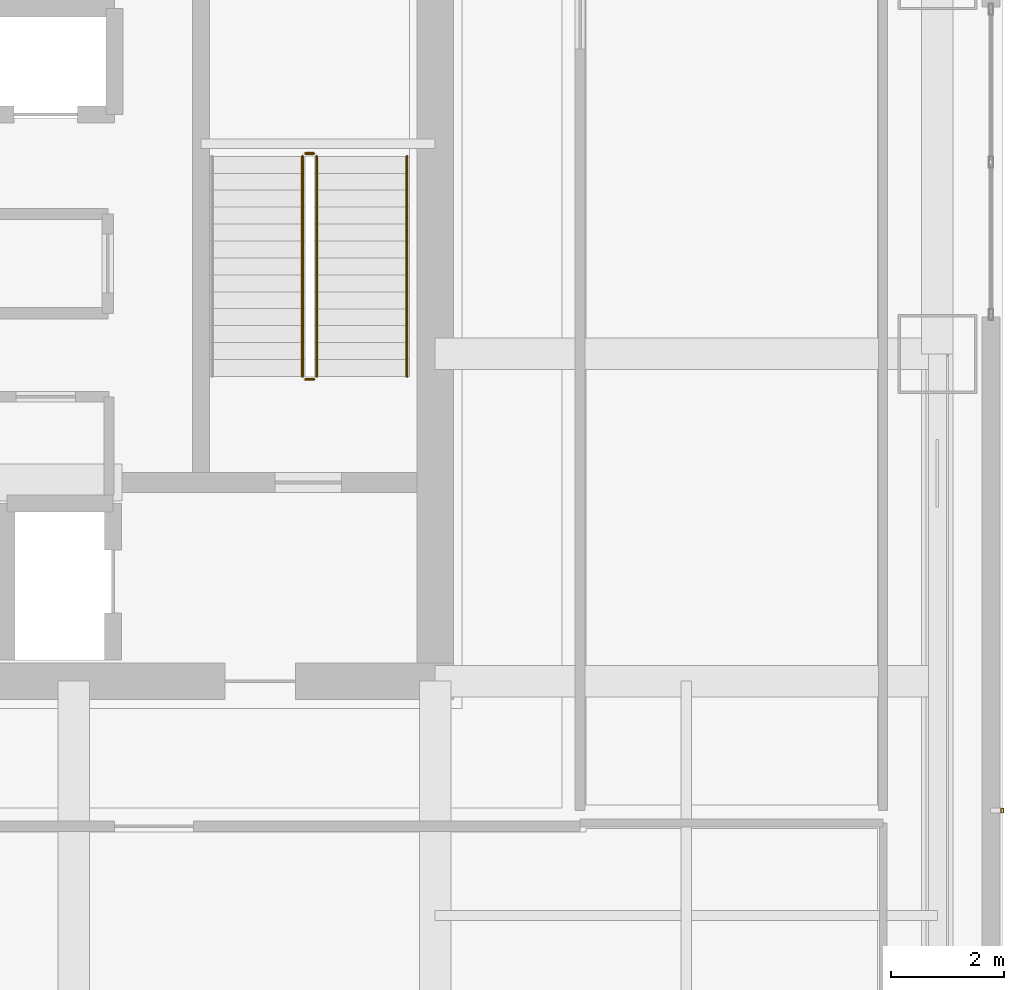
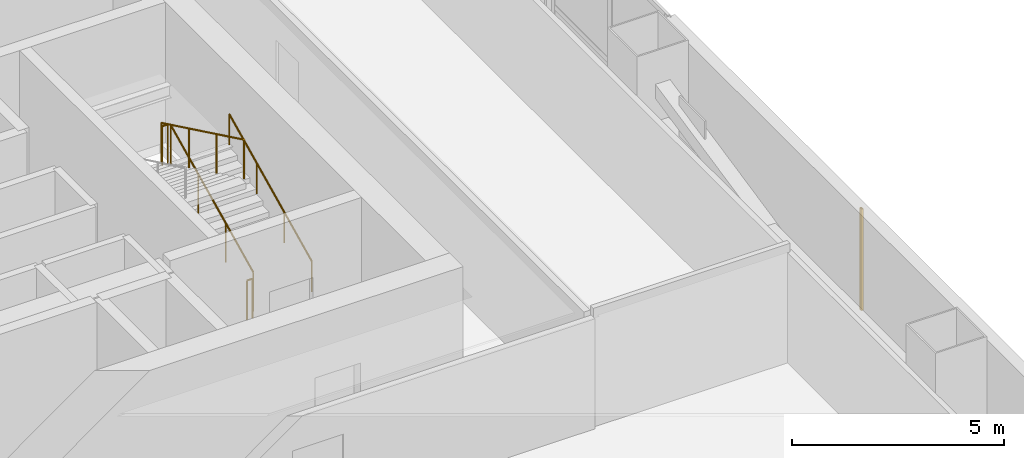
# One storey, part 25 of 29: 5 railings, 1 shading device.
"""IFC4 building model written with IfcOpenShell, lengths in metres."""

from ifc_helpers import new_model, si_unit, direction, frame, origin, origin_2d, place, context, subcontext, project, spatial, hollow_rectangle, circle, extrude, material, material_profile, profile_set, type_object, element, save


model = new_model("IFC4")

# Units and contexts
model_context = context("Model", 3, precision=1e-05, world=origin(), true_north=direction((0.0, 1.0)))
body_context = subcontext(model_context, "Body", "Model", "MODEL_VIEW")
ifc_project = project(units=[si_unit("LENGTHUNIT", "METRE"), si_unit("AREAUNIT", "SQUARE_METRE"), si_unit("VOLUMEUNIT", "CUBIC_METRE"), si_unit("PLANEANGLEUNIT", "RADIAN"), si_unit("MASSUNIT", "GRAM", prefix="KILO")], contexts=[model_context])

# Site, building, storey
site_placement = place(None, origin())
site = spatial("IfcSite", under=ifc_project, at=site_placement, CompositionType="ELEMENT")
building_placement = place(site_placement, origin())
building = spatial("IfcBuilding", under=site, at=building_placement, Name="Punatoya Terracotta Tower", CompositionType="ELEMENT")
storey_placement = place(building_placement, frame((0.0, 0.0, 172.199951171875)))
storey = spatial("IfcBuildingStorey", under=building, at=storey_placement, Name="L40", CompositionType="ELEMENT", Elevation=172.199951171875)

# Railings
ifc_material_1 = material(Name="Steel S355", Category="steel")
railing_type_1 = type_object("IfcRailingType", Name="RLG-GRD-1150", PredefinedType="GUARDRAIL", material=ifc_material_1)
railing_1_placement = place(storey_placement, frame((8.10009765625, -3.800048828125, 0.144775390625)))
element("IfcRailing", 1, at=railing_1_placement, inside=storey, type_object=railing_type_1, Name="L40 ST-2 stair guard 1", PredefinedType="GUARDRAIL", context=body_context, shape_type="SweptSolid", body=[
    extrude(circle(Radius=0.02392578125, at=origin_2d()), frame((0.0, 0.0, 1.1259765625), z_axis=(0.0, 0.900773802044, 0.434288564841), x_axis=(-1.0, 0.0, 0.0)), (0.0, 0.0, 1.0), 4.329833984375),
    extrude(circle(Radius=0.02099609375, at=origin_2d()), origin(), (0.0, 0.0, 1.0), 1.101806640625),
    extrude(circle(Radius=0.02099609375, at=origin_2d()), frame((0.0, 1.300048828125, 0.626708984375)), (0.0, 0.0, 1.0), 1.101806640625),
    extrude(circle(Radius=0.02099609375, at=origin_2d()), frame((0.0, 2.60009765625, 1.253662109375)), (0.0, 0.0, 1.0), 1.101806640625),
    extrude(circle(Radius=0.02099609375, at=origin_2d()), frame((0.0, 3.900146484375, 1.88037109375)), (0.0, 0.0, 1.0), 1.101806640625),
])
railing_2_placement = place(storey_placement, frame((8.050048828125, 0.14990234375, 2.025146484375)))
element("IfcRailing", 2, at=railing_2_placement, inside=storey, type_object=railing_type_1, Name="L40 ST-2 stair guard 2", PredefinedType="GUARDRAIL", context=body_context, shape_type="SweptSolid", body=[
    extrude(circle(Radius=0.02392578125, at=origin_2d()), frame((0.0, 0.0, 1.1259765625), z_axis=(-1.0, 0.0, 0.0), x_axis=(0.0, -1.0, 0.0)), (0.0, 0.0, 1.0), 0.150146484375),
    extrude(circle(Radius=0.02099609375, at=origin_2d()), origin(), (0.0, 0.0, 1.0), 1.101806640625),
    extrude(circle(Radius=0.02099609375, at=origin_2d()), frame((-0.150146484375, 0.0, 0.0)), (0.0, 0.0, 1.0), 1.101806640625),
])
railing_3_placement = place(storey_placement, frame((7.85009765625, 0.10009765625, 2.169677734375)))
element("IfcRailing", 3, at=railing_3_placement, inside=storey, type_object=railing_type_1, Name="L40 ST-2 stair guard 3", PredefinedType="GUARDRAIL", context=body_context, shape_type="SweptSolid", body=[
    extrude(circle(Radius=0.02392578125, at=origin_2d()), frame((0.0, 0.0, 1.1259765625), z_axis=(0.0, -0.900773802044, 0.434288564841), x_axis=(1.0, 0.0, 0.0)), (0.0, 0.0, 1.0), 4.329833984375),
    extrude(circle(Radius=0.02099609375, at=origin_2d()), origin(), (0.0, 0.0, 1.0), 1.101806640625),
    extrude(circle(Radius=0.02099609375, at=origin_2d()), frame((0.0, -1.300048828125, 0.626708984375)), (0.0, 0.0, 1.0), 1.101806640625),
    extrude(circle(Radius=0.02099609375, at=origin_2d()), frame((0.0, -2.60009765625, 1.253662109375)), (0.0, 0.0, 1.0), 1.101806640625),
    extrude(circle(Radius=0.02099609375, at=origin_2d()), frame((0.0, -3.900146484375, 1.88037109375)), (0.0, 0.0, 1.0), 1.101806640625),
])
railing_4_placement = place(storey_placement, frame((8.050048828125, -3.85009765625, 0.0)))
element("IfcRailing", 4, at=railing_4_placement, inside=storey, type_object=railing_type_1, Name="L40 ST-2 stair guard 4", PredefinedType="GUARDRAIL", context=body_context, shape_type="SweptSolid", body=[
    extrude(circle(Radius=0.02392578125, at=origin_2d()), frame((0.0, 0.0, 1.1259765625), z_axis=(-1.0, 0.0, 0.0), x_axis=(0.0, -1.0, 0.0)), (0.0, 0.0, 1.0), 0.150146484375),
    extrude(circle(Radius=0.02099609375, at=origin_2d()), origin(), (0.0, 0.0, 1.0), 1.101806640625),
    extrude(circle(Radius=0.02099609375, at=origin_2d()), frame((-0.150146484375, 0.0, 0.0)), (0.0, 0.0, 1.0), 1.101806640625),
])
railing_type_2 = type_object("IfcRailingType", Name="RLG-HND-900", PredefinedType="HANDRAIL", material=ifc_material_1)
railing_5_placement = place(storey_placement, frame((9.699951171875, -3.800048828125, 0.144775390625)))
element("IfcRailing", 5, at=railing_5_placement, inside=storey, type_object=railing_type_2, Name="L40 ST-2 stair handrail 1", PredefinedType="HANDRAIL", context=body_context, shape_type="SweptSolid", body=[
    extrude(circle(Radius=0.02392578125, at=origin_2d()), frame((0.0, 0.0, 0.8759765625), z_axis=(0.0, 0.900773802044, 0.434288564841), x_axis=(-1.0, 0.0, 0.0)), (0.0, 0.0, 1.0), 4.329833984375),
    extrude(circle(Radius=0.02099609375, at=origin_2d()), origin(), (0.0, 0.0, 1.0), 0.851806640625),
    extrude(circle(Radius=0.02099609375, at=origin_2d()), frame((0.0, 1.300048828125, 0.626708984375)), (0.0, 0.0, 1.0), 0.851806640625),
    extrude(circle(Radius=0.02099609375, at=origin_2d()), frame((0.0, 2.60009765625, 1.253662109375)), (0.0, 0.0, 1.0), 0.851806640625),
    extrude(circle(Radius=0.02099609375, at=origin_2d()), frame((0.0, 3.900146484375, 1.88037109375)), (0.0, 0.0, 1.0), 0.851806640625),
])

# Shading device
ifc_material_2 = material(Name="Architectural Fired Terracotta", Category="masonry")
ifc_material_profile = material_profile(ifc_material_2, hollow_rectangle(XDim=0.06005859375, YDim=0.090087890625, WallThickness=0.013916015625, at=origin_2d()))
ifc_profile_set = profile_set([ifc_material_profile], Name="Architectural Fired Terracotta")
shading_device_type = type_object("IfcShadingDeviceType", Name="SHD-JALI-90", PredefinedType="JALOUSIE", material=ifc_profile_set)
shading_device_placement = place(storey_placement, frame((20.25, -11.493408203125, 0.60009765625), z_axis=(0.0, 0.0, 1.0), x_axis=(1.0, 0.0, 0.0)))
element("IfcShadingDevice", 6, at=shading_device_placement, inside=storey, type_object=shading_device_type, Name="L40 Braced Bay Terracotta Jali Fin E1", PredefinedType="JALOUSIE", context=body_context, shape_type="SweptSolid", body=[
    extrude(hollow_rectangle(XDim=0.06005859375, YDim=0.090087890625, WallThickness=0.013916015625, at=origin_2d()), origin(), (0.0, 0.0, 1.0), 2.929931640625),
])

save(model, "model.ifc")
